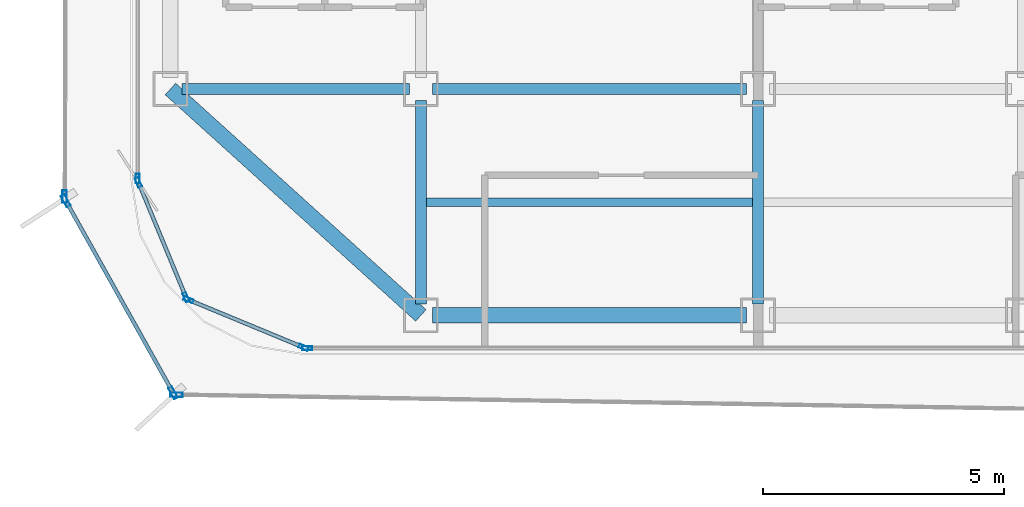
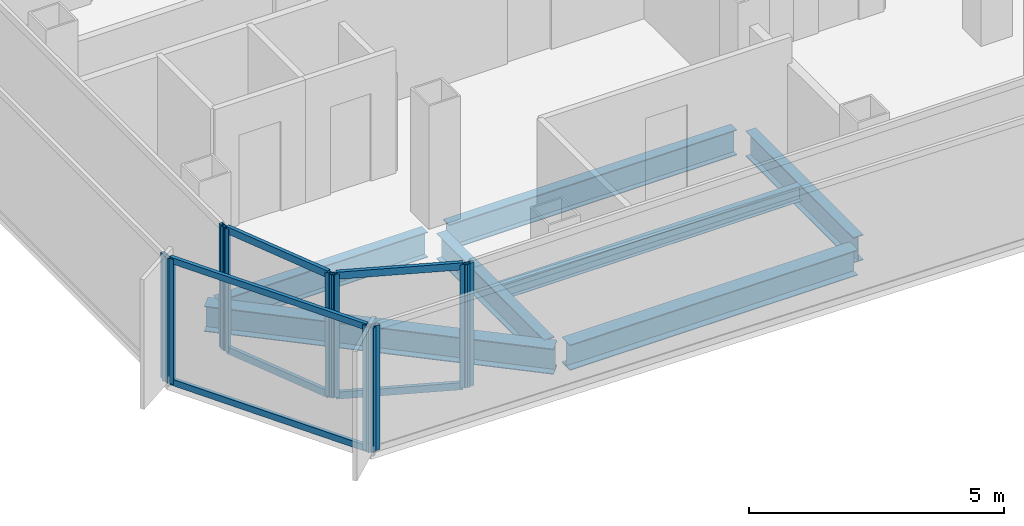
# One storey, part 2 of 16: 16 members, 7 beams, 7 elements without a shape of their own.
"""IFC4 building model written with IfcOpenShell, lengths in metres."""

from ifc_helpers import new_model, si_unit, direction, frame, origin, origin_2d, place, context, subcontext, project, spatial, hollow_rectangle, i_section, extrude, source, transform, mapped, material, layer, layer_set, material_profile, profile_set, type_object, element, aggregate, save


model = new_model("IFC4")

# Units and contexts
model_context = context("Model", 3, precision=1e-05, world=origin(), true_north=direction((0.0, 1.0)))
body_context = subcontext(model_context, "Body", "Model", "MODEL_VIEW")
ifc_project = project(units=[si_unit("LENGTHUNIT", "METRE"), si_unit("AREAUNIT", "SQUARE_METRE"), si_unit("VOLUMEUNIT", "CUBIC_METRE"), si_unit("PLANEANGLEUNIT", "RADIAN"), si_unit("MASSUNIT", "GRAM", prefix="KILO")], contexts=[model_context])

# Site, building, storey
site_placement = place(None, origin())
site = spatial("IfcSite", under=ifc_project, at=site_placement, CompositionType="ELEMENT")
building_placement = place(site_placement, origin())
building = spatial("IfcBuilding", under=site, at=building_placement, Name="Kolveth Station Tower", CompositionType="ELEMENT")
storey_placement = place(building_placement, frame((0.0, 0.0, 206.0)))
storey = spatial("IfcBuildingStorey", under=building, at=storey_placement, Name="L58", CompositionType="ELEMENT", Elevation=206.0)

# Beams
ifc_material_1 = material(Name="Steel S355", Category="steel")
ifc_material_profile_1 = material_profile(ifc_material_1, i_section(OverallWidth=0.323974609375, OverallDepth=0.611083984375, WebThickness=0.0126953125, FlangeThickness=0.01904296875, at=origin_2d()), Name="W610x155")
ifc_profile_set_1 = profile_set([ifc_material_profile_1], Name="Steel S355")
beam_type_1 = type_object("IfcBeamType", Name="Beam_SP2", PredefinedType="SPANDREL", material=ifc_profile_set_1)
shared_shape_1 = source(origin(), body_context, "Body", "SweptSolid", [
    extrude(i_section(OverallWidth=0.323974609375, OverallDepth=0.611083984375, WebThickness=0.0126953125, FlangeThickness=0.01904296875, at=origin_2d()), origin(), (0.0, 0.0, 1.0), 7.00927734375),
])
beam_1_placement = place(storey_placement, frame((0.800048828125, 5.5, -0.555419921875), z_axis=(0.741874009795, -0.670539300557, 0.0), x_axis=(0.670539300557, 0.741874009795, 0.0)))
element("IfcBeam", 1, at=beam_1_placement, inside=storey, type_object=beam_type_1, Name="L58 Corner Edge Girder BM-L58-CNR-SW", PredefinedType="SPANDREL", context=body_context, shape_type="MappedRepresentation", body=[
    mapped(shared_shape_1, transform((0.0, 0.0, 0.0), x_axis=(1.0, 0.0, 0.0), y_axis=(0.0, 1.0, 0.0), z_axis=(0.0, 0.0, 1.0), scale=1.0)),
])
shared_shape_2 = source(origin(), body_context, "Body", "SweptSolid", [
    extrude(i_section(OverallWidth=0.323974609375, OverallDepth=0.611083984375, WebThickness=0.0126953125, FlangeThickness=0.01904296875, at=origin_2d()), origin(), (0.0, 0.0, 1.0), 6.52001953125),
])
beam_2_placement = place(storey_placement, frame((6.239990234375, 0.800048828125, -0.555419921875), z_axis=(1.0, 0.0, 0.0), x_axis=(0.0, 1.0, 0.0)))
element("IfcBeam", 2, at=beam_2_placement, inside=storey, type_object=beam_type_1, Name="L58 Perimeter Spandrel BM-L58-PS-1", PredefinedType="SPANDREL", context=body_context, shape_type="MappedRepresentation", body=[
    mapped(shared_shape_2, transform((0.0, 0.0, 0.0), x_axis=(1.0, 0.0, 0.0), y_axis=(0.0, 1.0, 0.0), z_axis=(0.0, 0.0, 1.0), scale=1.0)),
])
ifc_material_profile_2 = material_profile(ifc_material_1, i_section(OverallWidth=0.22900390625, OverallDepth=0.612060546875, WebThickness=0.011962890625, FlangeThickness=0.01953125, at=origin_2d()), Name="W610x125")
ifc_profile_set_2 = profile_set([ifc_material_profile_2], Name="Steel S355")
beam_type_2 = type_object("IfcBeamType", Name="Beam_B5", PredefinedType="BEAM", material=ifc_profile_set_2)
shared_shape_3 = source(origin(), body_context, "Body", "SweptSolid", [
    extrude(i_section(OverallWidth=0.22900390625, OverallDepth=0.612060546875, WebThickness=0.011962890625, FlangeThickness=0.01953125, at=origin_2d()), origin(), (0.0, 0.0, 1.0), 4.719970703125),
])
beam_3_placement = place(storey_placement, frame((1.0400390625, 5.5, -0.555908203125), z_axis=(1.0, 0.0, 0.0), x_axis=(0.0, 1.0, 0.0)))
element("IfcBeam", 3, at=beam_3_placement, inside=storey, type_object=beam_type_2, Name="L58 Primary Girder BM-L58-GY55-1", PredefinedType="BEAM", context=body_context, shape_type="MappedRepresentation", body=[
    mapped(shared_shape_3, transform((0.0, 0.0, 0.0), x_axis=(1.0, 0.0, 0.0), y_axis=(0.0, 1.0, 0.0), z_axis=(0.0, 0.0, 1.0), scale=1.0)),
])
shared_shape_4 = source(origin(), body_context, "Body", "SweptSolid", [
    extrude(i_section(OverallWidth=0.22900390625, OverallDepth=0.612060546875, WebThickness=0.011962890625, FlangeThickness=0.01953125, at=origin_2d()), origin(), (0.0, 0.0, 1.0), 6.52001953125),
])
beam_4_placement = place(storey_placement, frame((6.239990234375, 5.5, -0.555908203125), z_axis=(1.0, 0.0, 0.0), x_axis=(0.0, 1.0, 0.0)))
element("IfcBeam", 4, at=beam_4_placement, inside=storey, type_object=beam_type_2, Name="L58 Primary Girder BM-L58-GY55-2", PredefinedType="BEAM", context=body_context, shape_type="MappedRepresentation", body=[
    mapped(shared_shape_4, transform((0.0, 0.0, 0.0), x_axis=(1.0, 0.0, 0.0), y_axis=(0.0, 1.0, 0.0), z_axis=(0.0, 0.0, 1.0), scale=1.0)),
])
shared_shape_5 = source(origin(), body_context, "Body", "SweptSolid", [
    extrude(i_section(OverallWidth=0.22900390625, OverallDepth=0.612060546875, WebThickness=0.011962890625, FlangeThickness=0.01953125, at=origin_2d()), origin(), (0.0, 0.0, 1.0), 4.219970703125),
])
for number, where, z_axis, x_axis, name in (
    (5, (6.0, 1.0400390625, -0.555908203125), (0.0, 1.0, 0.0), (-1.0, 0.0, 0.0), "L58 Primary Girder BM-L58-GX60-1"),
    (6, (13.0, 1.0400390625, -0.555908203125), (0.0, 1.0, 0.0), (-1.0, 0.0, 0.0), "L58 Primary Girder BM-L58-GX130-1"),
):
    element("IfcBeam", number, at=place(storey_placement, frame(where, z_axis=z_axis, x_axis=x_axis)), inside=storey, type_object=beam_type_2, Name=name, PredefinedType="BEAM", context=body_context, shape_type="MappedRepresentation", body=[
        mapped(shared_shape_5, transform((0.0, 0.0, 0.0), x_axis=(1.0, 0.0, 0.0), y_axis=(0.0, 1.0, 0.0), z_axis=(0.0, 0.0, 1.0), scale=1.0)),
    ])
ifc_material_profile_3 = material_profile(ifc_material_1, i_section(OverallWidth=0.1708984375, OverallDepth=0.35205078125, WebThickness=0.0068359375, FlangeThickness=0.009765625, at=origin_2d()), Name="W360x44")
ifc_profile_set_3 = profile_set([ifc_material_profile_3], Name="Steel S355")
beam_type_3 = type_object("IfcBeamType", Name="Beam_J2", PredefinedType="JOIST", material=ifc_profile_set_3)
shared_shape_6 = source(origin(), body_context, "Body", "SweptSolid", [
    extrude(i_section(OverallWidth=0.1708984375, OverallDepth=0.35205078125, WebThickness=0.0068359375, FlangeThickness=0.009765625, at=origin_2d()), origin(), (0.0, 0.0, 1.0), 6.77490234375),
])
beam_5_placement = place(storey_placement, frame((6.112548828125, 3.14990234375, -0.426025390625), z_axis=(1.0, 0.0, 0.0), x_axis=(0.0, 1.0, 0.0)))
element("IfcBeam", 7, at=beam_5_placement, inside=storey, type_object=beam_type_3, Name="L58 Secondary Joist JST-L58-2-1", PredefinedType="JOIST", context=body_context, shape_type="MappedRepresentation", body=[
    mapped(shared_shape_6, transform((0.0, 0.0, 0.0), x_axis=(1.0, 0.0, 0.0), y_axis=(0.0, 1.0, 0.0), z_axis=(0.0, 0.0, 1.0), scale=1.0)),
])

# Curtain wall, member
ifc_material_2 = material(Name="Aluminium 6063-T6 and low-E dark glass", Category="aluminium")
ifc_layer_1 = layer(ifc_material_2, 0.18994140625)
ifc_layer_set_1 = layer_set([ifc_layer_1], Name="Aluminium 6063-T6 and low-E dark glass")
curtain_wall_type_1 = type_object("IfcCurtainWallType", Name="CurtainWall_CW-Z2", PredefinedType="NOTDEFINED", material=ifc_layer_set_1)
curtain_wall_1_placement = place(storey_placement, origin())
curtain_wall_1 = element("IfcCurtainWall", 8, at=curtain_wall_1_placement, inside=storey, type_object=curtain_wall_type_1, Name="L58 Inner Thermal Curtain Wall 9", PredefinedType="NOTDEFINED")
ifc_material_3 = material(Name="Black anodized aluminium 6063-T6", Category="aluminium")
ifc_material_profile_4 = material_profile(ifc_material_3, hollow_rectangle(XDim=0.080078125, YDim=0.199951171875, WallThickness=0.0048828125, at=origin_2d()), Name="ALU-80x200x5")
ifc_profile_set_4 = profile_set([ifc_material_profile_4], Name="Black anodized aluminium 6063-T6")
member_type_1 = type_object("IfcMemberType", Name="Mullion_ML2", PredefinedType="MULLION", material=ifc_profile_set_4)
shared_shape_7 = source(origin(), body_context, "Body", "SweptSolid", [
    extrude(hollow_rectangle(XDim=0.080078125, YDim=0.199951171875, WallThickness=0.0048828125, at=origin_2d()), origin(), (0.0, 0.0, 1.0), 2.949951171875),
])
member_1_placement = place(storey_placement, frame((0.1201171875, 3.639892578125, 0.0), z_axis=(0.0, 0.0, 1.0), x_axis=(1.0, 0.0, 0.0)))
member_1 = element("IfcMember", 9, at=member_1_placement, type_object=member_type_1, Name="CW-Z2 mullion 2", PredefinedType="MULLION", context=body_context, shape_type="MappedRepresentation", body=[
    mapped(shared_shape_7, transform((0.0, 0.0, 0.0), x_axis=(1.0, 0.0, 0.0), y_axis=(0.0, 1.0, 0.0), z_axis=(0.0, 0.0, 1.0), scale=1.0)),
])
aggregate(curtain_wall_1, [member_1])

# Curtain wall, members
curtain_wall_2_placement = place(storey_placement, origin())
curtain_wall_2 = element("IfcCurtainWall", 10, at=curtain_wall_2_placement, inside=storey, type_object=curtain_wall_type_1, Name="L58 Inner Thermal Curtain Wall 10", PredefinedType="NOTDEFINED")
member_2_placement = place(storey_placement, frame((0.13525390625, 3.56298828125, 0.0), z_axis=(0.0, 0.0, 1.0), x_axis=(0.923873600544, 0.382697753087, 0.0)))
member_2 = element("IfcMember", 11, at=member_2_placement, type_object=member_type_1, Name="CW-Z2 mullion 1", PredefinedType="MULLION", context=body_context, shape_type="MappedRepresentation", body=[
    mapped(shared_shape_7, transform((0.0, 0.0, 0.0), x_axis=(1.0, 0.0, 0.0), y_axis=(0.0, 1.0, 0.0), z_axis=(0.0, 0.0, 1.0), scale=1.0)),
])
member_3_placement = place(storey_placement, frame((1.1240234375, 1.17626953125, 0.0), z_axis=(0.0, 0.0, 1.0), x_axis=(0.923873600544, 0.382697753087, 0.0)))
member_3 = element("IfcMember", 12, at=member_3_placement, type_object=member_type_1, Name="CW-Z2 mullion 2", PredefinedType="MULLION", context=body_context, shape_type="MappedRepresentation", body=[
    mapped(shared_shape_7, transform((0.0, 0.0, 0.0), x_axis=(1.0, 0.0, 0.0), y_axis=(0.0, 1.0, 0.0), z_axis=(0.0, 0.0, 1.0), scale=1.0)),
])

curtain_wall_3_placement = place(storey_placement, origin())
curtain_wall_3 = element("IfcCurtainWall", 13, at=curtain_wall_3_placement, inside=storey, type_object=curtain_wall_type_1, Name="L58 Inner Thermal Curtain Wall 11", PredefinedType="NOTDEFINED")
member_4_placement = place(storey_placement, frame((1.17626953125, 1.1240234375, 0.0), z_axis=(0.0, 0.0, 1.0), x_axis=(0.382697753087, 0.923873600544, 0.0)))
member_4 = element("IfcMember", 14, at=member_4_placement, type_object=member_type_1, Name="CW-Z2 mullion 1", PredefinedType="MULLION", context=body_context, shape_type="MappedRepresentation", body=[
    mapped(shared_shape_7, transform((0.0, 0.0, 0.0), x_axis=(1.0, 0.0, 0.0), y_axis=(0.0, 1.0, 0.0), z_axis=(0.0, 0.0, 1.0), scale=1.0)),
])
member_5_placement = place(storey_placement, frame((3.56298828125, 0.13525390625, 0.0), z_axis=(0.0, 0.0, 1.0), x_axis=(0.382697753087, 0.923873600544, 0.0)))
member_5 = element("IfcMember", 15, at=member_5_placement, type_object=member_type_1, Name="CW-Z2 mullion 2", PredefinedType="MULLION", context=body_context, shape_type="MappedRepresentation", body=[
    mapped(shared_shape_7, transform((0.0, 0.0, 0.0), x_axis=(1.0, 0.0, 0.0), y_axis=(0.0, 1.0, 0.0), z_axis=(0.0, 0.0, 1.0), scale=1.0)),
])

# Curtain wall, member
curtain_wall_4_placement = place(storey_placement, origin())
curtain_wall_4 = element("IfcCurtainWall", 16, at=curtain_wall_4_placement, inside=storey, type_object=curtain_wall_type_1, Name="L58 Inner Thermal Curtain Wall 12", PredefinedType="NOTDEFINED")
member_6_placement = place(storey_placement, frame((3.639892578125, 0.1201171875, 0.0), z_axis=(0.0, 0.0, 1.0), x_axis=(0.0, 1.0, 0.0)))
member_6 = element("IfcMember", 17, at=member_6_placement, type_object=member_type_1, Name="CW-Z2 mullion 1", PredefinedType="MULLION", context=body_context, shape_type="MappedRepresentation", body=[
    mapped(shared_shape_7, transform((0.0, 0.0, 0.0), x_axis=(1.0, 0.0, 0.0), y_axis=(0.0, 1.0, 0.0), z_axis=(0.0, 0.0, 1.0), scale=1.0)),
])
aggregate(curtain_wall_4, [member_6])

ifc_material_4 = material(Name="Black anodized aluminium 6063-T6 and dark solar glass", Category="aluminium")
ifc_layer_2 = layer(ifc_material_4, 0.159912109375)
ifc_layer_set_2 = layer_set([ifc_layer_2], Name="Black anodized aluminium 6063-T6 and dark solar glass")
curtain_wall_type_2 = type_object("IfcCurtainWallType", Name="OUTER SKIN CW-OS", PredefinedType="NOTDEFINED", material=ifc_layer_set_2)
curtain_wall_5_placement = place(storey_placement, origin())
curtain_wall_5 = element("IfcCurtainWall", 18, at=curtain_wall_5_placement, inside=storey, type_object=curtain_wall_type_2, Name="L58 Outer Ventilated Skin Curtain Wall 6", PredefinedType="NOTDEFINED")
ifc_material_profile_5 = material_profile(ifc_material_3, hollow_rectangle(XDim=0.090087890625, YDim=0.260009765625, WallThickness=0.0048828125, at=origin_2d()), Name="ALU-90x260x5")
ifc_profile_set_5 = profile_set([ifc_material_profile_5], Name="Black anodized aluminium 6063-T6")
member_type_2 = type_object("IfcMemberType", Name="FIN MULLION ML-OS", PredefinedType="MULLION", material=ifc_profile_set_5)
shared_shape_8 = source(origin(), body_context, "Body", "SweptSolid", [
    extrude(hollow_rectangle(XDim=0.090087890625, YDim=0.260009765625, WallThickness=0.0048828125, at=origin_2d()), origin(), (0.0, 0.0, 1.0), 2.989990234375),
])
member_7_placement = place(storey_placement, frame((-1.396484375, 3.266357421875, 0.0), z_axis=(0.0, 0.0, 1.0), x_axis=(0.999997928406, -0.002035481399, 0.0)))
member_7 = element("IfcMember", 19, at=member_7_placement, type_object=member_type_2, Name="CW-OS mullion 2", PredefinedType="MULLION", context=body_context, shape_type="MappedRepresentation", body=[
    mapped(shared_shape_8, transform((0.0, 0.0, 0.0), x_axis=(1.0, 0.0, 0.0), y_axis=(0.0, 1.0, 0.0), z_axis=(0.0, 0.0, 1.0), scale=1.0)),
])
aggregate(curtain_wall_5, [member_7])

# Curtain wall, members
curtain_wall_6_placement = place(storey_placement, origin())
curtain_wall_6 = element("IfcCurtainWall", 20, at=curtain_wall_6_placement, inside=storey, type_object=curtain_wall_type_2, Name="L58 Outer Ventilated Skin Curtain Wall 7", PredefinedType="NOTDEFINED")
member_8_placement = place(storey_placement, frame((-1.374755859375, 3.18212890625, 0.0), z_axis=(0.0, 0.0, 1.0), x_axis=(0.872875229325, 0.487943474216, 0.0)))
member_8 = element("IfcMember", 21, at=member_8_placement, type_object=member_type_2, Name="CW-OS mullion 1", PredefinedType="MULLION", context=body_context, shape_type="MappedRepresentation", body=[
    mapped(shared_shape_8, transform((0.0, 0.0, 0.0), x_axis=(1.0, 0.0, 0.0), y_axis=(0.0, 1.0, 0.0), z_axis=(0.0, 0.0, 1.0), scale=1.0)),
])
member_9_placement = place(storey_placement, frame((0.85595703125, -0.808349609375, 0.0), z_axis=(0.0, 0.0, 1.0), x_axis=(0.872875229325, 0.487943474216, 0.0)))
member_9 = element("IfcMember", 22, at=member_9_placement, type_object=member_type_2, Name="CW-OS mullion 2", PredefinedType="MULLION", context=body_context, shape_type="MappedRepresentation", body=[
    mapped(shared_shape_8, transform((0.0, 0.0, 0.0), x_axis=(1.0, 0.0, 0.0), y_axis=(0.0, 1.0, 0.0), z_axis=(0.0, 0.0, 1.0), scale=1.0)),
])

# Curtain wall, member
curtain_wall_7_placement = place(storey_placement, origin())
curtain_wall_7 = element("IfcCurtainWall", 23, at=curtain_wall_7_placement, inside=storey, type_object=curtain_wall_type_2, Name="L58 Outer Ventilated Skin Curtain Wall 8", PredefinedType="NOTDEFINED")
member_10_placement = place(storey_placement, frame((0.923095703125, -0.848388671875, 0.0), z_axis=(0.0, 0.0, 1.0), x_axis=(0.016541494062, 0.999863180127, 0.0)))
member_10 = element("IfcMember", 24, at=member_10_placement, type_object=member_type_2, Name="CW-OS mullion 1", PredefinedType="MULLION", context=body_context, shape_type="MappedRepresentation", body=[
    mapped(shared_shape_8, transform((0.0, 0.0, 0.0), x_axis=(1.0, 0.0, 0.0), y_axis=(0.0, 1.0, 0.0), z_axis=(0.0, 0.0, 1.0), scale=1.0)),
])
aggregate(curtain_wall_7, [member_10])

# Member
ifc_material_profile_6 = material_profile(ifc_material_3, hollow_rectangle(XDim=0.080078125, YDim=0.169921875, WallThickness=0.0048828125, at=origin_2d()), Name="ALU-80x170x5")
ifc_profile_set_6 = profile_set([ifc_material_profile_6], Name="Black anodized aluminium 6063-T6")
member_type_3 = type_object("IfcMemberType", Name="Transom_TR2", PredefinedType="USERDEFINED", material=ifc_profile_set_6)
shared_shape_9 = source(origin(), body_context, "Body", "SweptSolid", [
    extrude(hollow_rectangle(XDim=0.080078125, YDim=0.169921875, WallThickness=0.0048828125, at=origin_2d()), origin(), (0.0, 0.0, 1.0), 2.50341796875),
])
member_11_placement = place(storey_placement, frame((0.150634765625, 3.526123046875, 0.0400390625), z_axis=(0.382661849723, -0.923888472039, 0.0), x_axis=(0.923888472039, 0.382661849723, 0.0)))
member_11 = element("IfcMember", 25, at=member_11_placement, type_object=member_type_3, Name="CW-Z2 transom 1.1", ObjectType="TRANSOM", PredefinedType="USERDEFINED", context=body_context, shape_type="MappedRepresentation", body=[
    mapped(shared_shape_9, transform((0.0, 0.0, 0.0), x_axis=(1.0, 0.0, 0.0), y_axis=(0.0, 1.0, 0.0), z_axis=(0.0, 0.0, 1.0), scale=1.0)),
])

member_12_placement = place(storey_placement, frame((0.150634765625, 3.526123046875, 2.909912109375), z_axis=(0.382661849723, -0.923888472039, 0.0), x_axis=(0.923888472039, 0.382661849723, 0.0)))
member_12 = element("IfcMember", 26, at=member_12_placement, type_object=member_type_3, Name="CW-Z2 transom 1.2", ObjectType="TRANSOM", PredefinedType="USERDEFINED", context=body_context, shape_type="MappedRepresentation", body=[
    mapped(shared_shape_9, transform((0.0, 0.0, 0.0), x_axis=(1.0, 0.0, 0.0), y_axis=(0.0, 1.0, 0.0), z_axis=(0.0, 0.0, 1.0), scale=1.0)),
])

aggregate(curtain_wall_2, [member_2, member_3, member_11, member_12])

member_13_placement = place(storey_placement, frame((1.213134765625, 1.108642578125, 0.0400390625), z_axis=(0.923888472039, -0.382661849723, 0.0), x_axis=(0.382661849723, 0.923888472039, 0.0)))
member_13 = element("IfcMember", 27, at=member_13_placement, type_object=member_type_3, Name="CW-Z2 transom 1.1", ObjectType="TRANSOM", PredefinedType="USERDEFINED", context=body_context, shape_type="MappedRepresentation", body=[
    mapped(shared_shape_9, transform((0.0, 0.0, 0.0), x_axis=(1.0, 0.0, 0.0), y_axis=(0.0, 1.0, 0.0), z_axis=(0.0, 0.0, 1.0), scale=1.0)),
])

member_14_placement = place(storey_placement, frame((1.213134765625, 1.108642578125, 2.909912109375), z_axis=(0.923888472039, -0.382661849723, 0.0), x_axis=(0.382661849723, 0.923888472039, 0.0)))
member_14 = element("IfcMember", 28, at=member_14_placement, type_object=member_type_3, Name="CW-Z2 transom 1.2", ObjectType="TRANSOM", PredefinedType="USERDEFINED", context=body_context, shape_type="MappedRepresentation", body=[
    mapped(shared_shape_9, transform((0.0, 0.0, 0.0), x_axis=(1.0, 0.0, 0.0), y_axis=(0.0, 1.0, 0.0), z_axis=(0.0, 0.0, 1.0), scale=1.0)),
])

aggregate(curtain_wall_3, [member_4, member_5, member_13, member_14])

ifc_material_profile_7 = material_profile(ifc_material_3, hollow_rectangle(XDim=0.080078125, YDim=0.14990234375, WallThickness=0.0048828125, at=origin_2d()), Name="ALU-80x150x5")
ifc_profile_set_7 = profile_set([ifc_material_profile_7], Name="Black anodized aluminium 6063-T6")
member_type_4 = type_object("IfcMemberType", Name="Transom_TR-OS", PredefinedType="USERDEFINED", material=ifc_profile_set_7)
shared_shape_10 = source(origin(), body_context, "Body", "SweptSolid", [
    extrude(hollow_rectangle(XDim=0.080078125, YDim=0.14990234375, WallThickness=0.0048828125, at=origin_2d()), origin(), (0.0, 0.0, 1.0), 4.481689453125),
])
member_15_placement = place(storey_placement, frame((-1.352783203125, 3.142822265625, 0.0400390625), z_axis=(0.48794466973, -0.872874561023, 0.0), x_axis=(0.872874561023, 0.48794466973, 0.0)))
member_15 = element("IfcMember", 29, at=member_15_placement, type_object=member_type_4, Name="CW-OS transom 1.1", ObjectType="TRANSOM", PredefinedType="USERDEFINED", context=body_context, shape_type="MappedRepresentation", body=[
    mapped(shared_shape_10, transform((0.0, 0.0, 0.0), x_axis=(1.0, 0.0, 0.0), y_axis=(0.0, 1.0, 0.0), z_axis=(0.0, 0.0, 1.0), scale=1.0)),
])

member_16_placement = place(storey_placement, frame((-1.352783203125, 3.142822265625, 2.949951171875), z_axis=(0.48794466973, -0.872874561023, 0.0), x_axis=(0.872874561023, 0.48794466973, 0.0)))
member_16 = element("IfcMember", 30, at=member_16_placement, type_object=member_type_4, Name="CW-OS transom 1.2", ObjectType="TRANSOM", PredefinedType="USERDEFINED", context=body_context, shape_type="MappedRepresentation", body=[
    mapped(shared_shape_10, transform((0.0, 0.0, 0.0), x_axis=(1.0, 0.0, 0.0), y_axis=(0.0, 1.0, 0.0), z_axis=(0.0, 0.0, 1.0), scale=1.0)),
])

aggregate(curtain_wall_6, [member_8, member_9, member_15, member_16])

save(model, "model.ifc")
